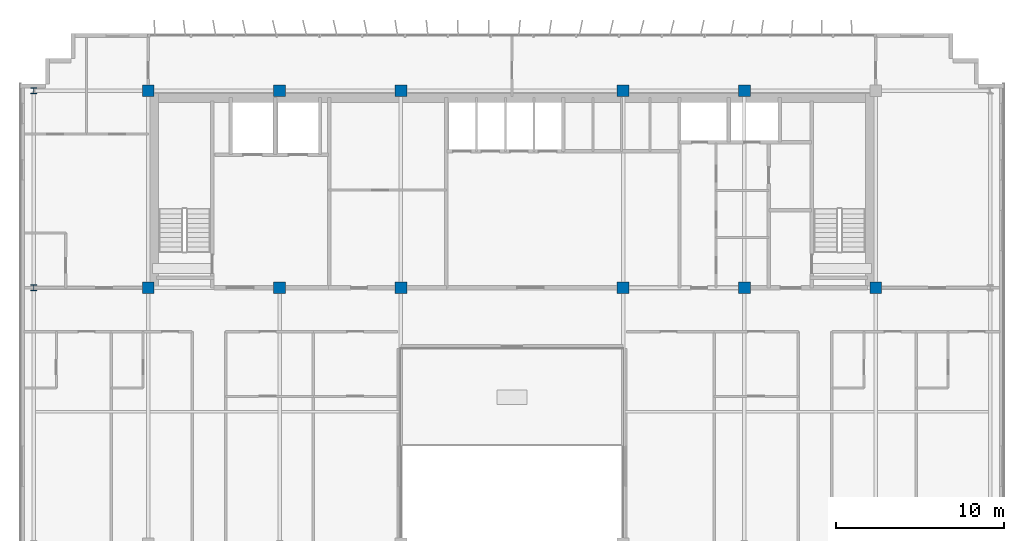
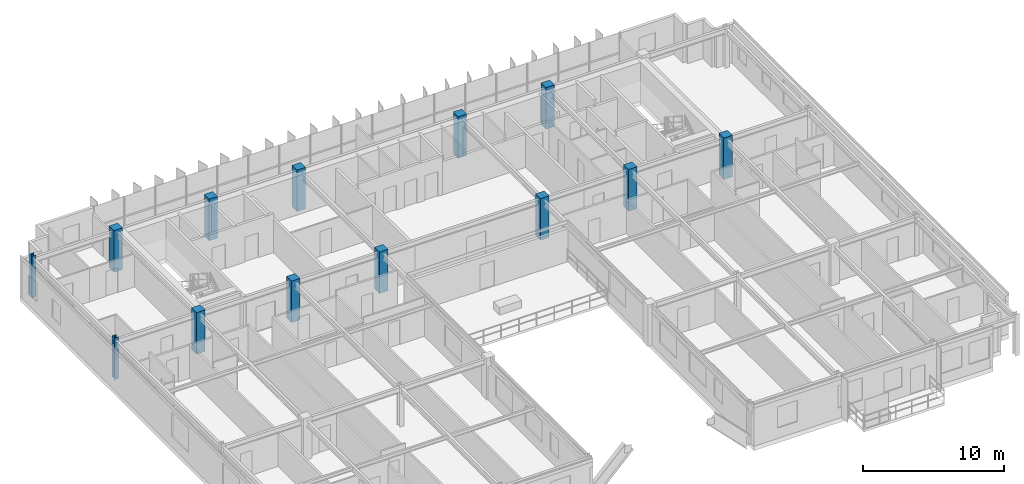
# One storey, part 3 of 23: 13 columns.
"""IFC4 building model written with IfcOpenShell, lengths in metres."""

from ifc_helpers import new_model, si_unit, direction, frame, origin, origin_2d, place, context, subcontext, project, spatial, rectangle, i_section, extrude, source, transform, mapped, material, material_profile, profile_set, type_object, element, save


model = new_model("IFC4")

# Units and contexts
model_context = context("Model", 3, precision=1e-05, world=origin(), true_north=direction((0.0, 1.0)))
body_context = subcontext(model_context, "Body", "Model", "MODEL_VIEW")
ifc_project = project(units=[si_unit("LENGTHUNIT", "METRE"), si_unit("AREAUNIT", "SQUARE_METRE"), si_unit("VOLUMEUNIT", "CUBIC_METRE"), si_unit("PLANEANGLEUNIT", "RADIAN"), si_unit("MASSUNIT", "GRAM", prefix="KILO")], contexts=[model_context])

# Site, building, storey
site_placement = place(None, origin())
site = spatial("IfcSite", under=ifc_project, at=site_placement, CompositionType="ELEMENT")
building_placement = place(site_placement, origin())
building = spatial("IfcBuilding", under=site, at=building_placement, Name="Trelvane Seafront Commons", CompositionType="ELEMENT")
storey_placement = place(building_placement, frame((0.0, 0.0, 190.5)))
storey = spatial("IfcBuildingStorey", under=building, at=storey_placement, Name="L49", CompositionType="ELEMENT", Elevation=190.5)

# Columns
ifc_material_1 = material(Name="Concrete C50/60", Category="concrete")
ifc_material_profile_1 = material_profile(ifc_material_1, rectangle(XDim=0.699951171875, YDim=0.699951171875, at=origin_2d()), Name="RC-700x700")
ifc_profile_set_1 = profile_set([ifc_material_profile_1], Name="Concrete C50/60")
column_type_1 = type_object("IfcColumnType", Name="STR-COL-RC700", PredefinedType="COLUMN", material=ifc_profile_set_1)
shared_shape_1 = source(origin(), body_context, "Body", "SweptSolid", [
    extrude(rectangle(XDim=0.699951171875, YDim=0.699951171875, at=origin_2d()), origin(), (0.0, 0.0, 1.0), 3.60009765625),
])
for number, where, z_axis, x_axis, name in (
    (1, (15.60009765625, 33.39990234375, 0.0), (0.0, 0.0, 1.0), (1.0, 0.0, 0.0), "L49 Column TC-CS15.6"),
    (2, (15.60009765625, 45.10009765625, 0.0), (0.0, 0.0, 1.0), (1.0, 0.0, 0.0), "L49 Column TC-CN15.6"),
    (3, (23.39990234375, 33.39990234375, 0.0), (0.0, 0.0, 1.0), (1.0, 0.0, 0.0), "L49 Column TC-CS23.4"),
    (4, (23.39990234375, 45.10009765625, 0.0), (0.0, 0.0, 1.0), (1.0, 0.0, 0.0), "L49 Column TC-CN23.4"),
    (5, (30.60009765625, 33.39990234375, 0.0), (0.0, 0.0, 1.0), (1.0, 0.0, 0.0), "L49 Column TC-CS30.6"),
    (6, (30.60009765625, 45.10009765625, 0.0), (0.0, 0.0, 1.0), (1.0, 0.0, 0.0), "L49 Column TC-CN30.6"),
    (7, (43.800048828125, 33.39990234375, 0.0), (0.0, 0.0, 1.0), (1.0, 0.0, 0.0), "L49 Column TC-CS43.8"),
    (8, (43.800048828125, 45.10009765625, 0.0), (0.0, 0.0, 1.0), (1.0, 0.0, 0.0), "L49 Column TC-CN43.8"),
    (9, (51.0, 33.39990234375, 0.0), (0.0, 0.0, 1.0), (1.0, 0.0, 0.0), "L49 Column TC-CS51.0"),
    (10, (51.0, 45.10009765625, 0.0), (0.0, 0.0, 1.0), (1.0, 0.0, 0.0), "L49 Column TC-CN51.0"),
    (11, (58.800048828125, 33.39990234375, 0.0), (0.0, 0.0, 1.0), (1.0, 0.0, 0.0), "L49 Column TC-CS58.8"),
):
    element("IfcColumn", number, at=place(storey_placement, frame(where, z_axis=z_axis, x_axis=x_axis)), inside=storey, type_object=column_type_1, Name=name, PredefinedType="COLUMN", context=body_context, shape_type="MappedRepresentation", body=[
        mapped(shared_shape_1, transform((0.0, 0.0, 0.0), x_axis=(1.0, 0.0, 0.0), y_axis=(0.0, 1.0, 0.0), z_axis=(0.0, 0.0, 1.0), scale=1.0)),
    ])
ifc_material_2 = material(Name="Steel SM355 (S355)", Category="steel")
ifc_material_profile_2 = material_profile(ifc_material_2, i_section(OverallWidth=0.35009765625, OverallDepth=0.35009765625, WebThickness=0.01806640625, FlangeThickness=0.028076171875, at=origin_2d()), Name="HD-350x350x18x28")
ifc_profile_set_2 = profile_set([ifc_material_profile_2], Name="Steel SM355 (S355)")
column_type_2 = type_object("IfcColumnType", Name="STR-COL-HD350", PredefinedType="COLUMN", material=ifc_profile_set_2)
shared_shape_2 = source(origin(), body_context, "Body", "SweptSolid", [
    extrude(i_section(OverallWidth=0.35009765625, OverallDepth=0.35009765625, WebThickness=0.01806640625, FlangeThickness=0.028076171875, at=origin_2d()), origin(), (0.0, 0.0, 1.0), 3.60009765625),
])
for number, where, z_axis, x_axis, name in (
    (12, (8.800048828125, 33.39990234375, 0.0), (0.0, 0.0, 1.0), (1.0, 0.0, 0.0), "L49 Column TC-CS8.8"),
    (13, (8.800048828125, 45.10009765625, 0.0), (0.0, 0.0, 1.0), (1.0, 0.0, 0.0), "L49 Column TC-CN8.8"),
):
    element("IfcColumn", number, at=place(storey_placement, frame(where, z_axis=z_axis, x_axis=x_axis)), inside=storey, type_object=column_type_2, Name=name, PredefinedType="COLUMN", context=body_context, shape_type="MappedRepresentation", body=[
        mapped(shared_shape_2, transform((0.0, 0.0, 0.0), x_axis=(1.0, 0.0, 0.0), y_axis=(0.0, 1.0, 0.0), z_axis=(0.0, 0.0, 1.0), scale=1.0)),
    ])

save(model, "model.ifc")
